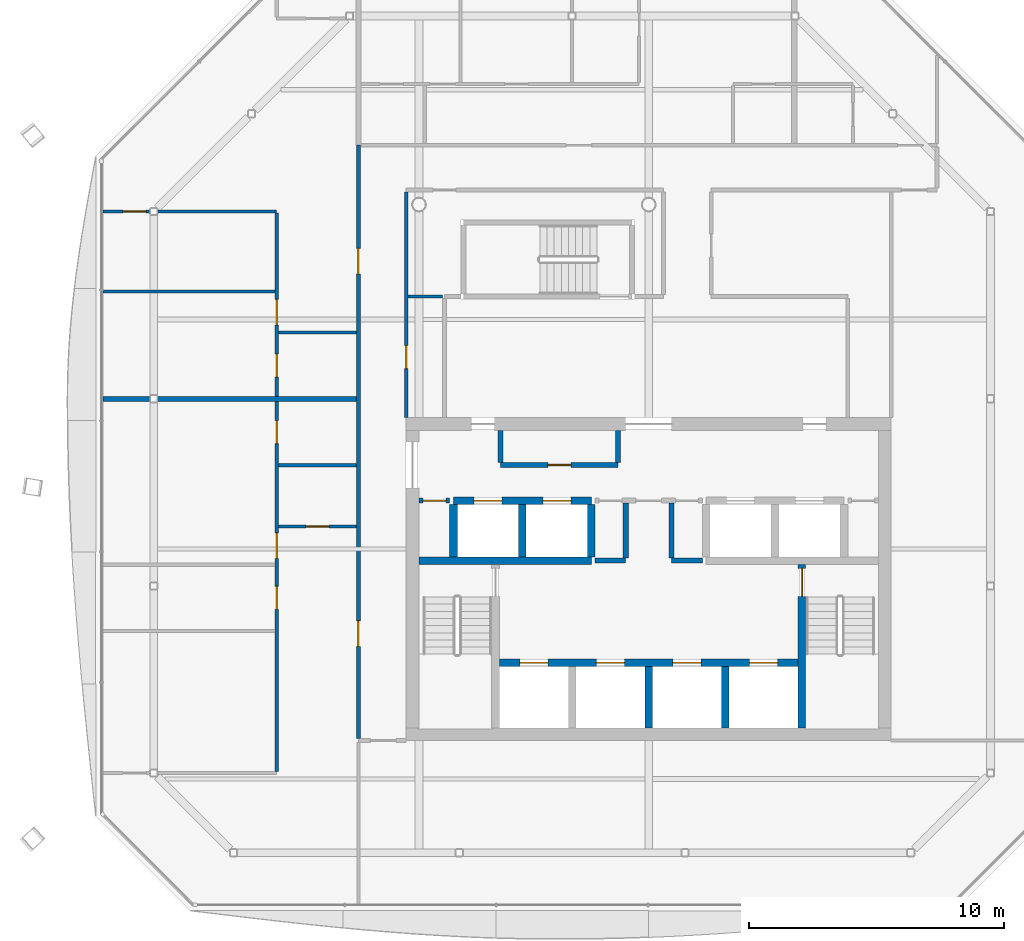
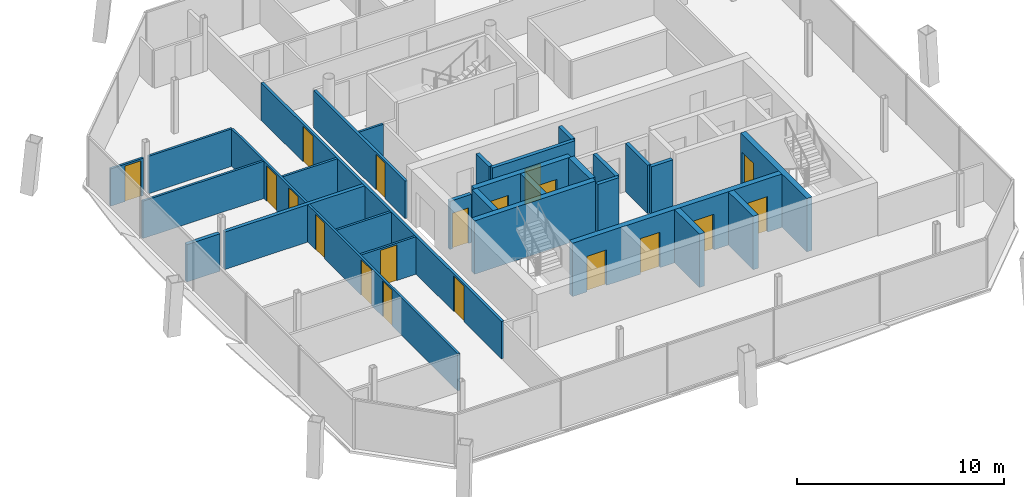
# One storey, part 12 of 17: 29 walls, 19 doors, 19 openings.
"""IFC4 building model written with IfcOpenShell, lengths in metres."""

from ifc_helpers import new_model, si_unit, direction, frame, frame_2d, origin, place, context, subcontext, project, spatial, rectangle, extrude, material, layer, layer_set, type_object, element, fill, save


model = new_model("IFC4")

# Units and contexts
model_context = context("Model", 3, precision=1e-05, world=origin(), true_north=direction((0.0, 1.0)))
body_context = subcontext(model_context, "Body", "Model", "MODEL_VIEW")
ifc_project = project(units=[si_unit("LENGTHUNIT", "METRE"), si_unit("AREAUNIT", "SQUARE_METRE"), si_unit("VOLUMEUNIT", "CUBIC_METRE"), si_unit("PLANEANGLEUNIT", "RADIAN"), si_unit("MASSUNIT", "GRAM", prefix="KILO")], contexts=[model_context])

# Site, building, storey
site_placement = place(None, origin())
site = spatial("IfcSite", under=ifc_project, at=site_placement, CompositionType="ELEMENT")
building_placement = place(site_placement, origin())
building = spatial("IfcBuilding", under=site, at=building_placement, Name="Tskaro Facet Tower", CompositionType="ELEMENT")
storey_placement = place(building_placement, frame((0.0, 0.0, 232.949951171875)))
storey = spatial("IfcBuildingStorey", under=building, at=storey_placement, Name="L60", CompositionType="ELEMENT", Elevation=232.949951171875)

# Wall, openings, doors
ifc_material_1 = material(Name="Concrete C60/75", Category="concrete")
ifc_layer_1 = layer(ifc_material_1, 0.300048828125, Name="Concrete C60/75")
ifc_layer_set_1 = layer_set([ifc_layer_1], Name="Concrete C60/75")
wall_type_1 = type_object("IfcWallType", Name="CORE-SHAFT", PredefinedType="SHEAR", material=ifc_layer_set_1)
wall_1_placement = place(storey_placement, frame((-5.85009765625, -8.949951171875, 0.0), z_axis=(0.0, 0.0, 1.0), x_axis=(1.0, 0.0, 0.0)))
wall_1 = element("IfcWall", 1, at=wall_1_placement, inside=storey, type_object=wall_type_1, Name="Shaft wall W005", PredefinedType="SHEAR", context=body_context, shape_type="SweptSolid", body=[
    extrude(rectangle(XDim=11.7001953125, YDim=0.300048828125, at=frame_2d((5.85009765625, 0.0))), origin(), (0.0, 0.0, 1.0), 3.150146484375),
])
opening_1_placement = place(wall_1_placement, frame((0.800048828125, 0.0, 0.0)))
opening_1 = element("IfcOpeningElement", 2, at=opening_1_placement, cuts=wall_1, Name="Opening LD-FF1", PredefinedType="OPENING", context=body_context, shape_type="SweptSolid", body=[
    extrude(rectangle(XDim=1.10009765625, YDim=2.10009765625, at=frame_2d((0.550048828125, 1.050048828125))), frame((0.0, 0.159912109375, 0.0), z_axis=(0.0, -1.0, 0.0), x_axis=(1.0, 0.0, 0.0)), (0.0, 0.0, 1.0), 0.320068359375),
])
opening_2_placement = place(wall_1_placement, frame((3.800048828125, 0.0, 0.0)))
opening_2 = element("IfcOpeningElement", 3, at=opening_2_placement, cuts=wall_1, Name="Opening LD-FF2", PredefinedType="OPENING", context=body_context, shape_type="SweptSolid", body=[
    extrude(rectangle(XDim=1.10009765625, YDim=2.10009765625, at=frame_2d((0.550048828125, 1.050048828125))), frame((0.0, 0.159912109375, 0.0), z_axis=(0.0, -1.0, 0.0), x_axis=(1.0, 0.0, 0.0)), (0.0, 0.0, 1.0), 0.320068359375),
])
opening_3_placement = place(wall_1_placement, frame((6.800048828125, 0.0, 0.0)))
opening_3 = element("IfcOpeningElement", 4, at=opening_3_placement, cuts=wall_1, Name="Opening LD-SV1", PredefinedType="OPENING", context=body_context, shape_type="SweptSolid", body=[
    extrude(rectangle(XDim=1.10009765625, YDim=2.10009765625, at=frame_2d((0.550048828125, 1.050048828125))), frame((0.0, 0.159912109375, 0.0), z_axis=(0.0, -1.0, 0.0), x_axis=(1.0, 0.0, 0.0)), (0.0, 0.0, 1.0), 0.320068359375),
])
opening_4_placement = place(wall_1_placement, frame((9.800048828125, 0.0, 0.0)))
opening_4 = element("IfcOpeningElement", 5, at=opening_4_placement, cuts=wall_1, Name="Opening LD-SV2", PredefinedType="OPENING", context=body_context, shape_type="SweptSolid", body=[
    extrude(rectangle(XDim=1.10009765625, YDim=2.10009765625, at=frame_2d((0.550048828125, 1.050048828125))), frame((0.0, 0.159912109375, 0.0), z_axis=(0.0, -1.0, 0.0), x_axis=(1.0, 0.0, 0.0)), (0.0, 0.0, 1.0), 0.320068359375),
])
ifc_material_2 = material(Name="Stainless steel", Category="steel")
door_type_1 = type_object("IfcDoorType", Name="D-LANDING", OperationType="NOTDEFINED", PredefinedType="DOOR", material=ifc_material_2)
door_1_placement = place(opening_1_placement, origin())
door_1 = element("IfcDoor", 6, at=door_1_placement, inside=storey, type_object=door_type_1, Name="Landing door FF1", OperationType="DOUBLE_DOOR_SLIDING", OverallHeight=2.10009765625, OverallWidth=1.10009765625, PredefinedType="DOOR", context=body_context, shape_type="SweptSolid", body=[
    extrude(rectangle(XDim=1.10009765625, YDim=2.10009765625, at=frame_2d((0.550048828125, 1.050048828125))), frame((0.0, 0.02490234375, 0.0), z_axis=(0.0, -1.0, 0.0), x_axis=(1.0, 0.0, 0.0)), (0.0, 0.0, 1.0), 0.050048828125),
])
fill(opening_1, door_1)
door_2_placement = place(opening_2_placement, origin())
door_2 = element("IfcDoor", 7, at=door_2_placement, inside=storey, type_object=door_type_1, Name="Landing door FF2", OperationType="DOUBLE_DOOR_SLIDING", OverallHeight=2.10009765625, OverallWidth=1.10009765625, PredefinedType="DOOR", context=body_context, shape_type="SweptSolid", body=[
    extrude(rectangle(XDim=1.10009765625, YDim=2.10009765625, at=frame_2d((0.550048828125, 1.050048828125))), frame((0.0, 0.02490234375, 0.0), z_axis=(0.0, -1.0, 0.0), x_axis=(1.0, 0.0, 0.0)), (0.0, 0.0, 1.0), 0.050048828125),
])
fill(opening_2, door_2)
door_3_placement = place(opening_3_placement, origin())
door_3 = element("IfcDoor", 8, at=door_3_placement, inside=storey, type_object=door_type_1, Name="Landing door SV1", OperationType="DOUBLE_DOOR_SLIDING", OverallHeight=2.10009765625, OverallWidth=1.10009765625, PredefinedType="DOOR", context=body_context, shape_type="SweptSolid", body=[
    extrude(rectangle(XDim=1.10009765625, YDim=2.10009765625, at=frame_2d((0.550048828125, 1.050048828125))), frame((0.0, 0.02490234375, 0.0), z_axis=(0.0, -1.0, 0.0), x_axis=(1.0, 0.0, 0.0)), (0.0, 0.0, 1.0), 0.050048828125),
])
fill(opening_3, door_3)
door_4_placement = place(opening_4_placement, origin())
door_4 = element("IfcDoor", 9, at=door_4_placement, inside=storey, type_object=door_type_1, Name="Landing door SV2", OperationType="DOUBLE_DOOR_SLIDING", OverallHeight=2.10009765625, OverallWidth=1.10009765625, PredefinedType="DOOR", context=body_context, shape_type="SweptSolid", body=[
    extrude(rectangle(XDim=1.10009765625, YDim=2.10009765625, at=frame_2d((0.550048828125, 1.050048828125))), frame((0.0, 0.02490234375, 0.0), z_axis=(0.0, -1.0, 0.0), x_axis=(1.0, 0.0, 0.0)), (0.0, 0.0, 1.0), 0.050048828125),
])
fill(opening_4, door_4)

# Wall
wall_2_placement = place(storey_placement, frame((-9.0, -4.949951171875, 0.0), z_axis=(0.0, 0.0, 1.0), x_axis=(1.0, 0.0, 0.0)))
element("IfcWall", 10, at=wall_2_placement, inside=storey, type_object=wall_type_1, Name="Shaft wall W008", PredefinedType="SHEAR", context=body_context, shape_type="SweptSolid", body=[
    extrude(rectangle(XDim=6.75, YDim=0.300048828125, at=frame_2d((3.375, 0.0))), origin(), (0.0, 0.0, 1.0), 3.150146484375),
])

# Wall, openings, doors
wall_3_placement = place(storey_placement, frame((-7.64990234375, -2.60009765625, 0.0), z_axis=(0.0, 0.0, 1.0), x_axis=(1.0, 0.0, 0.0)))
wall_3 = element("IfcWall", 11, at=wall_3_placement, inside=storey, type_object=wall_type_1, Name="Shaft wall W014", PredefinedType="SHEAR", context=body_context, shape_type="SweptSolid", body=[
    extrude(rectangle(XDim=5.39990234375, YDim=0.300048828125, at=frame_2d((2.699951171875, 0.0))), origin(), (0.0, 0.0, 1.0), 3.150146484375),
])
opening_5_placement = place(wall_3_placement, frame((0.800048828125, 0.0, 0.0)))
opening_5 = element("IfcOpeningElement", 12, at=opening_5_placement, cuts=wall_3, Name="Opening LD-HB1", PredefinedType="OPENING", context=body_context, shape_type="SweptSolid", body=[
    extrude(rectangle(XDim=1.10009765625, YDim=2.10009765625, at=frame_2d((0.550048828125, 1.050048828125))), frame((0.0, 0.159912109375, 0.0), z_axis=(0.0, -1.0, 0.0), x_axis=(1.0, 0.0, 0.0)), (0.0, 0.0, 1.0), 0.320068359375),
])
opening_6_placement = place(wall_3_placement, frame((3.5, 0.0, 0.0)))
opening_6 = element("IfcOpeningElement", 13, at=opening_6_placement, cuts=wall_3, Name="Opening LD-HB2", PredefinedType="OPENING", context=body_context, shape_type="SweptSolid", body=[
    extrude(rectangle(XDim=1.10009765625, YDim=2.10009765625, at=frame_2d((0.550048828125, 1.050048828125))), frame((0.0, 0.159912109375, 0.0), z_axis=(0.0, -1.0, 0.0), x_axis=(1.0, 0.0, 0.0)), (0.0, 0.0, 1.0), 0.320068359375),
])
door_5_placement = place(opening_5_placement, origin())
door_5 = element("IfcDoor", 14, at=door_5_placement, inside=storey, type_object=door_type_1, Name="Landing door HB1", OperationType="DOUBLE_DOOR_SLIDING", OverallHeight=2.10009765625, OverallWidth=1.10009765625, PredefinedType="DOOR", context=body_context, shape_type="SweptSolid", body=[
    extrude(rectangle(XDim=1.10009765625, YDim=2.10009765625, at=frame_2d((0.550048828125, 1.050048828125))), frame((0.0, 0.02490234375, 0.0), z_axis=(0.0, -1.0, 0.0), x_axis=(1.0, 0.0, 0.0)), (0.0, 0.0, 1.0), 0.050048828125),
])
fill(opening_5, door_5)
door_6_placement = place(opening_6_placement, origin())
door_6 = element("IfcDoor", 15, at=door_6_placement, inside=storey, type_object=door_type_1, Name="Landing door HB2", OperationType="DOUBLE_DOOR_SLIDING", OverallHeight=2.10009765625, OverallWidth=1.10009765625, PredefinedType="DOOR", context=body_context, shape_type="SweptSolid", body=[
    extrude(rectangle(XDim=1.10009765625, YDim=2.10009765625, at=frame_2d((0.550048828125, 1.050048828125))), frame((0.0, 0.02490234375, 0.0), z_axis=(0.0, -1.0, 0.0), x_axis=(1.0, 0.0, 0.0)), (0.0, 0.0, 1.0), 0.050048828125),
])
fill(opening_6, door_6)

# Walls
for number, where, z_axis, x_axis, name in (
    (16, (-7.64990234375, -4.800048828125, 0.0), (0.0, 0.0, 1.0), (0.0, 1.0, 0.0), "Shaft wall W046"),
    (17, (-4.949951171875, -4.800048828125, 0.0), (0.0, 0.0, 1.0), (0.0, 1.0, 0.0), "Shaft wall W051"),
    (18, (-2.25, -4.800048828125, 0.0), (0.0, 0.0, 1.0), (0.0, 1.0, 0.0), "Shaft wall W055"),
):
    element("IfcWall", number, at=place(storey_placement, frame(where, z_axis=z_axis, x_axis=x_axis)), inside=storey, type_object=wall_type_1, Name=name, PredefinedType="SHEAR", context=body_context, shape_type="SweptSolid", body=[
        extrude(rectangle(XDim=2.050048828125, YDim=0.300048828125, at=frame_2d((1.02490234375, 0.0))), origin(), (0.0, 0.0, 1.0), 3.150146484375),
    ])
for number, where, z_axis, x_axis, name in (
    (19, (0.0, -11.5, 0.0), (0.0, 0.0, 1.0), (0.0, 1.0, 0.0), "Shaft wall W060"),
    (20, (3.0, -11.5, 0.0), (0.0, 0.0, 1.0), (0.0, 1.0, 0.0), "Shaft wall W065"),
):
    element("IfcWall", number, at=place(storey_placement, frame(where, z_axis=z_axis, x_axis=x_axis)), inside=storey, type_object=wall_type_1, Name=name, PredefinedType="SHEAR", context=body_context, shape_type="SweptSolid", body=[
        extrude(rectangle(XDim=2.39990234375, YDim=0.300048828125, at=frame_2d((1.199951171875, 0.0))), origin(), (0.0, 0.0, 1.0), 3.150146484375),
    ])

# Wall, opening, door
wall_4_placement = place(storey_placement, frame((6.0, -5.10009765625, 0.0), z_axis=(0.0, 0.0, 1.0), x_axis=(0.0, -1.0, 0.0)))
wall_4 = element("IfcWall", 21, at=wall_4_placement, inside=storey, type_object=wall_type_1, Name="Shaft wall W070", PredefinedType="SHEAR", context=body_context, shape_type="SweptSolid", body=[
    extrude(rectangle(XDim=6.39990234375, YDim=0.300048828125, at=frame_2d((3.199951171875, 0.0))), origin(), (0.0, 0.0, 1.0), 3.150146484375),
])
opening_7_placement = place(wall_4_placement, frame((0.14990234375, 0.0, 0.0)))
opening_7 = element("IfcOpeningElement", 22, at=opening_7_placement, cuts=wall_4, Name="Opening ST-2-D1", PredefinedType="OPENING", context=body_context, shape_type="SweptSolid", body=[
    extrude(rectangle(XDim=1.10009765625, YDim=2.10009765625, at=frame_2d((0.550048828125, 1.050048828125))), frame((0.0, 0.159912109375, 0.0), z_axis=(0.0, -1.0, 0.0), x_axis=(1.0, 0.0, 0.0)), (0.0, 0.0, 1.0), 0.320068359375),
])
ifc_material_3 = material(Name="Steel", Category="steel")
door_type_2 = type_object("IfcDoorType", Name="D-STAIR", OperationType="NOTDEFINED", PredefinedType="DOOR", material=ifc_material_3)
door_7_placement = place(opening_7_placement, origin())
door_7 = element("IfcDoor", 23, at=door_7_placement, inside=storey, type_object=door_type_2, Name="Stair door 2", OperationType="SINGLE_SWING_RIGHT", OverallHeight=2.10009765625, OverallWidth=1.10009765625, PredefinedType="DOOR", context=body_context, shape_type="SweptSolid", body=[
    extrude(rectangle(XDim=1.10009765625, YDim=2.10009765625, at=frame_2d((0.550048828125, 1.050048828125))), frame((0.0, 0.02490234375, 0.0), z_axis=(0.0, -1.0, 0.0), x_axis=(1.0, 0.0, 0.0)), (0.0, 0.0, 1.0), 0.050048828125),
])
fill(opening_7, door_7)

# Walls
ifc_material_4 = material(Name="Concrete C20/25", Category="concrete")
ifc_layer_2 = layer(ifc_material_4, 0.199951171875, Name="Concrete C20/25")
ifc_layer_set_2 = layer_set([ifc_layer_2], Name="Concrete C20/25")
wall_type_2 = type_object("IfcWallType", Name="CORE-WALL", PredefinedType="SOLIDWALL", material=ifc_layer_set_2)
for number, where, z_axis, x_axis, name in (
    (24, (-2.10009765625, -4.949951171875, 0.0), (0.0, 0.0, 1.0), (1.0, 0.0, 0.0), "Core room wall W009"),
    (25, (0.89990234375, -4.949951171875, 0.0), (0.0, 0.0, 1.0), (1.0, 0.0, 0.0), "Core room wall W010"),
):
    element("IfcWall", number, at=place(storey_placement, frame(where, z_axis=z_axis, x_axis=x_axis)), inside=storey, type_object=wall_type_2, Name=name, PredefinedType="SOLIDWALL", context=body_context, shape_type="SweptSolid", body=[
        extrude(rectangle(XDim=1.2001953125, YDim=0.199951171875, at=frame_2d((0.60009765625, 0.0))), origin(), (0.0, 0.0, 1.0), 2.85009765625),
    ])

# Wall, opening, door
wall_5_placement = place(storey_placement, frame((-7.800048828125, -2.60009765625, 0.0), z_axis=(0.0, 0.0, 1.0), x_axis=(-1.0, 0.0, 0.0)))
wall_5 = element("IfcWall", 26, at=wall_5_placement, inside=storey, type_object=wall_type_2, Name="Core room wall W013", PredefinedType="SOLIDWALL", context=body_context, shape_type="SweptSolid", body=[
    extrude(rectangle(XDim=1.199951171875, YDim=0.199951171875, at=frame_2d((0.60009765625, 0.0))), origin(), (0.0, 0.0, 1.0), 2.85009765625),
])
opening_8_placement = place(wall_5_placement, frame((0.14990234375, 0.0, 0.0)))
opening_8 = element("IfcOpeningElement", 27, at=opening_8_placement, cuts=wall_5, Name="Opening T17-D07", PredefinedType="OPENING", context=body_context, shape_type="SweptSolid", body=[
    extrude(rectangle(XDim=0.89990234375, YDim=2.10009765625, at=frame_2d((0.449951171875, 1.050048828125))), frame((0.0, 0.10986328125, 0.0), z_axis=(0.0, -1.0, 0.0), x_axis=(1.0, 0.0, 0.0)), (0.0, 0.0, 1.0), 0.219970703125),
])
ifc_material_5 = material(Name="Timber", Category="wood")
door_type_3 = type_object("IfcDoorType", Name="D-ROOM", OperationType="NOTDEFINED", PredefinedType="DOOR", material=ifc_material_5)
door_8_placement = place(opening_8_placement, origin())
door_8 = element("IfcDoor", 28, at=door_8_placement, inside=storey, type_object=door_type_3, Name="Door T17-D07", OperationType="SINGLE_SWING_RIGHT", OverallHeight=2.10009765625, OverallWidth=0.89990234375, PredefinedType="DOOR", context=body_context, shape_type="SweptSolid", body=[
    extrude(rectangle(XDim=0.89990234375, YDim=2.10009765625, at=frame_2d((0.449951171875, 1.050048828125))), frame((0.0, 0.02490234375, 0.0), z_axis=(0.0, -1.0, 0.0), x_axis=(1.0, 0.0, 0.0)), (0.0, 0.0, 1.0), 0.050048828125),
])
fill(opening_8, door_8)

wall_6_placement = place(storey_placement, frame((-5.800048828125, -1.199951171875, 0.0), z_axis=(0.0, 0.0, 1.0), x_axis=(1.0, 0.0, 0.0)))
wall_6 = element("IfcWall", 29, at=wall_6_placement, inside=storey, type_object=wall_type_2, Name="Core room wall W019", PredefinedType="SOLIDWALL", context=body_context, shape_type="SweptSolid", body=[
    extrude(rectangle(XDim=4.60009765625, YDim=0.199951171875, at=frame_2d((2.300048828125, 0.0))), origin(), (0.0, 0.0, 1.0), 2.85009765625),
])
opening_9_placement = place(wall_6_placement, frame((1.85009765625, 0.0, 0.0)))
opening_9 = element("IfcOpeningElement", 30, at=opening_9_placement, cuts=wall_6, Name="Opening T17-D12", PredefinedType="OPENING", context=body_context, shape_type="SweptSolid", body=[
    extrude(rectangle(XDim=0.89990234375, YDim=2.10009765625, at=frame_2d((0.449951171875, 1.050048828125))), frame((0.0, 0.10986328125, 0.0), z_axis=(0.0, -1.0, 0.0), x_axis=(1.0, 0.0, 0.0)), (0.0, 0.0, 1.0), 0.219970703125),
])
door_9_placement = place(opening_9_placement, origin())
door_9 = element("IfcDoor", 31, at=door_9_placement, inside=storey, type_object=door_type_3, Name="Door T17-D12", OperationType="SINGLE_SWING_LEFT", OverallHeight=2.10009765625, OverallWidth=0.89990234375, PredefinedType="DOOR", context=body_context, shape_type="SweptSolid", body=[
    extrude(rectangle(XDim=0.89990234375, YDim=2.10009765625, at=frame_2d((0.449951171875, 1.050048828125))), frame((0.0, 0.02490234375, 0.0), z_axis=(0.0, -1.0, 0.0), x_axis=(1.0, 0.0, 0.0)), (0.0, 0.0, 1.0), 0.050048828125),
])
fill(opening_9, door_9)

# Walls
for number, where, z_axis, x_axis, name in (
    (32, (-5.800048828125, -1.10009765625, 0.0), (0.0, 0.0, 1.0), (0.0, 1.0, 0.0), "Core room wall W050"),
    (33, (-1.199951171875, -1.10009765625, 0.0), (0.0, 0.0, 1.0), (0.0, 1.0, 0.0), "Core room wall W056"),
):
    element("IfcWall", number, at=place(storey_placement, frame(where, z_axis=z_axis, x_axis=x_axis)), inside=storey, type_object=wall_type_2, Name=name, PredefinedType="SOLIDWALL", context=body_context, shape_type="SweptSolid", body=[
        extrude(rectangle(XDim=1.25, YDim=0.199951171875, at=frame_2d((0.625, 0.0))), origin(), (0.0, 0.0, 1.0), 2.85009765625),
    ])
for number, where, z_axis, x_axis, name in (
    (34, (-0.89990234375, -4.85009765625, 0.0), (0.0, 0.0, 1.0), (0.0, 1.0, 0.0), "Core room wall W057"),
    (35, (0.89990234375, -4.85009765625, 0.0), (0.0, 0.0, 1.0), (0.0, 1.0, 0.0), "Core room wall W062"),
):
    element("IfcWall", number, at=place(storey_placement, frame(where, z_axis=z_axis, x_axis=x_axis)), inside=storey, type_object=wall_type_2, Name=name, PredefinedType="SOLIDWALL", context=body_context, shape_type="SweptSolid", body=[
        extrude(rectangle(XDim=2.150146484375, YDim=0.199951171875, at=frame_2d((1.0751953125, 0.0))), origin(), (0.0, 0.0, 1.0), 2.85009765625),
    ])

# Wall, opening, door
ifc_material_6 = material(Name="Gypsum board on steel studs", Category="steel")
ifc_layer_3 = layer(ifc_material_6, 0.125, Name="Gypsum board on steel studs")
ifc_layer_set_3 = layer_set([ifc_layer_3], Name="Gypsum board on steel studs")
wall_type_3 = type_object("IfcWallType", Name="PART", PredefinedType="PARTITIONING", material=ifc_layer_set_3)
wall_7_placement = place(storey_placement, frame((-14.512451171875, -3.610107421875, 0.0), z_axis=(0.0, 0.0, 1.0), x_axis=(1.0, 0.0, 0.0)))
wall_7 = element("IfcWall", 36, at=wall_7_placement, inside=storey, type_object=wall_type_3, Name="Partition W012", PredefinedType="PARTITIONING", context=body_context, shape_type="SweptSolid", body=[
    extrude(rectangle(XDim=3.0625, YDim=0.125, at=frame_2d((1.53125, 0.0))), origin(), (0.0, 0.0, 1.0), 2.2099609375),
])
opening_10_placement = place(wall_7_placement, frame((1.08740234375, 0.0, 0.0)))
opening_10 = element("IfcOpeningElement", 37, at=opening_10_placement, cuts=wall_7, Name="Opening T17-D06", PredefinedType="OPENING", context=body_context, shape_type="SweptSolid", body=[
    extrude(rectangle(XDim=0.89990234375, YDim=2.10009765625, at=frame_2d((0.449951171875, 1.050048828125))), frame((0.0, 0.072509765625, 0.0), z_axis=(0.0, -1.0, 0.0), x_axis=(1.0, 0.0, 0.0)), (0.0, 0.0, 1.0), 0.14501953125),
])
door_10_placement = place(opening_10_placement, origin())
door_10 = element("IfcDoor", 38, at=door_10_placement, inside=storey, type_object=door_type_3, Name="Door T17-D06", OperationType="SINGLE_SWING_LEFT", OverallHeight=2.10009765625, OverallWidth=0.89990234375, PredefinedType="DOOR", context=body_context, shape_type="SweptSolid", body=[
    extrude(rectangle(XDim=0.89990234375, YDim=2.10009765625, at=frame_2d((0.449951171875, 1.050048828125))), frame((0.0, 0.02490234375, 0.0), z_axis=(0.0, -1.0, 0.0), x_axis=(1.0, 0.0, 0.0)), (0.0, 0.0, 1.0), 0.050048828125),
])
fill(opening_10, door_10)

# Walls
for number, where, z_axis, x_axis, name in (
    (39, (-14.512451171875, -1.2099609375, 0.0), (0.0, 0.0, 1.0), (1.0, 0.0, 0.0), "Partition W018"),
    (40, (-14.512451171875, 3.989990234375, 0.0), (0.0, 0.0, 1.0), (1.0, 0.0, 0.0), "Partition W022"),
):
    element("IfcWall", number, at=place(storey_placement, frame(where, z_axis=z_axis, x_axis=x_axis)), inside=storey, type_object=wall_type_3, Name=name, PredefinedType="PARTITIONING", context=body_context, shape_type="SweptSolid", body=[
        extrude(rectangle(XDim=3.0625, YDim=0.125, at=frame_2d((1.53125, 0.0))), origin(), (0.0, 0.0, 1.0), 2.2099609375),
    ])
wall_8_placement = place(storey_placement, frame((-9.425048828125, 5.39990234375, 0.0), z_axis=(0.0, 0.0, 1.0), x_axis=(1.0, 0.0, 0.0)))
element("IfcWall", 41, at=wall_8_placement, inside=storey, type_object=wall_type_3, Name="Partition W023", PredefinedType="PARTITIONING", context=body_context, shape_type="SweptSolid", body=[
    extrude(rectangle(XDim=1.35009765625, YDim=0.125, at=frame_2d((0.675048828125, 0.0))), origin(), (0.0, 0.0, 1.0), 2.2099609375),
])
wall_9_placement = place(storey_placement, frame((-21.385009765625, 5.590087890625, 0.0), z_axis=(0.0, 0.0, 1.0), x_axis=(1.0, 0.0, 0.0)))
element("IfcWall", 42, at=wall_9_placement, inside=storey, type_object=wall_type_3, Name="Partition W028", PredefinedType="PARTITIONING", context=body_context, shape_type="SweptSolid", body=[
    extrude(rectangle(XDim=6.74755859375, YDim=0.125, at=frame_2d((3.373779296875, 0.0))), origin(), (0.0, 0.0, 1.0), 2.2099609375),
])

# Wall, opening, door
wall_10_placement = place(storey_placement, frame((-19.541015625, 8.72509765625, 0.0), z_axis=(0.0, 0.0, 1.0), x_axis=(-1.0, 0.0, 0.0)))
wall_10 = element("IfcWall", 43, at=wall_10_placement, inside=storey, type_object=wall_type_3, Name="Partition W030", PredefinedType="PARTITIONING", context=body_context, shape_type="SweptSolid", body=[
    extrude(rectangle(XDim=1.843994140625, YDim=0.125, at=frame_2d((0.921875, 0.0))), origin(), (0.0, 0.0, 1.0), 2.2099609375),
])
opening_11_placement = place(wall_10_placement, frame((0.14990234375, 0.0, 0.0)))
opening_11 = element("IfcOpeningElement", 44, at=opening_11_placement, cuts=wall_10, Name="Opening T17-D22", PredefinedType="OPENING", context=body_context, shape_type="SweptSolid", body=[
    extrude(rectangle(XDim=0.89990234375, YDim=2.10009765625, at=frame_2d((0.449951171875, 1.050048828125))), frame((0.0, 0.072509765625, 0.0), z_axis=(0.0, -1.0, 0.0), x_axis=(1.0, 0.0, 0.0)), (0.0, 0.0, 1.0), 0.14501953125),
])
door_11_placement = place(opening_11_placement, origin())
door_11 = element("IfcDoor", 45, at=door_11_placement, inside=storey, type_object=door_type_3, Name="Door T17-D22", OperationType="SINGLE_SWING_RIGHT", OverallHeight=2.10009765625, OverallWidth=0.89990234375, PredefinedType="DOOR", context=body_context, shape_type="SweptSolid", body=[
    extrude(rectangle(XDim=0.89990234375, YDim=2.10009765625, at=frame_2d((0.449951171875, 1.050048828125))), frame((0.0, 0.02490234375, 0.0), z_axis=(0.0, -1.0, 0.0), x_axis=(1.0, 0.0, 0.0)), (0.0, 0.0, 1.0), 0.050048828125),
])
fill(opening_11, door_11)

# Wall
wall_11_placement = place(storey_placement, frame((-19.240966796875, 8.72509765625, 0.0), z_axis=(0.0, 0.0, 1.0), x_axis=(1.0, 0.0, 0.0)))
element("IfcWall", 46, at=wall_11_placement, inside=storey, type_object=wall_type_3, Name="Partition W031", PredefinedType="PARTITIONING", context=body_context, shape_type="SweptSolid", body=[
    extrude(rectangle(XDim=4.666015625, YDim=0.125, at=frame_2d((2.3330078125, 0.0))), origin(), (0.0, 0.0, 1.0), 2.2099609375),
])

# Wall, openings, doors
wall_12_placement = place(storey_placement, frame((-14.574951171875, -13.20751953125, 0.0), z_axis=(0.0, 0.0, 1.0), x_axis=(0.0, 1.0, 0.0)))
wall_12 = element("IfcWall", 47, at=wall_12_placement, inside=storey, type_object=wall_type_3, Name="Partition W038", PredefinedType="PARTITIONING", context=body_context, shape_type="SweptSolid", body=[
    extrude(rectangle(XDim=21.8701171875, YDim=0.125, at=frame_2d((10.93505859375, 0.0))), origin(), (0.0, 0.0, 1.0), 2.2099609375),
])
opening_12_placement = place(wall_12_placement, frame((6.347412109375, 0.0, 0.0)))
opening_12 = element("IfcOpeningElement", 48, at=opening_12_placement, cuts=wall_12, Name="Opening T17-D04", PredefinedType="OPENING", context=body_context, shape_type="SweptSolid", body=[
    extrude(rectangle(XDim=0.89990234375, YDim=2.10009765625, at=frame_2d((0.449951171875, 1.050048828125))), frame((0.0, 0.072509765625, 0.0), z_axis=(0.0, -1.0, 0.0), x_axis=(1.0, 0.0, 0.0)), (0.0, 0.0, 1.0), 0.14501953125),
])
opening_13_placement = place(wall_12_placement, frame((8.347412109375, 0.0, 0.0)))
opening_13 = element("IfcOpeningElement", 49, at=opening_13_placement, cuts=wall_12, Name="Opening T17-D05", PredefinedType="OPENING", context=body_context, shape_type="SweptSolid", body=[
    extrude(rectangle(XDim=1.0, YDim=2.10009765625, at=frame_2d((0.5, 1.050048828125))), frame((0.0, 0.072509765625, 0.0), z_axis=(0.0, -1.0, 0.0), x_axis=(1.0, 0.0, 0.0)), (0.0, 0.0, 1.0), 0.14501953125),
])
opening_14_placement = place(wall_12_placement, frame((12.847412109375, 0.0, 0.0)))
opening_14 = element("IfcOpeningElement", 50, at=opening_14_placement, cuts=wall_12, Name="Opening T17-D13", PredefinedType="OPENING", context=body_context, shape_type="SweptSolid", body=[
    extrude(rectangle(XDim=0.89990234375, YDim=2.10009765625, at=frame_2d((0.449951171875, 1.050048828125))), frame((0.0, 0.072509765625, 0.0), z_axis=(0.0, -1.0, 0.0), x_axis=(1.0, 0.0, 0.0)), (0.0, 0.0, 1.0), 0.14501953125),
])
opening_15_placement = place(wall_12_placement, frame((17.49755859375, 0.0, 0.0)))
opening_15 = element("IfcOpeningElement", 51, at=opening_15_placement, cuts=wall_12, Name="Opening T17-D19", PredefinedType="OPENING", context=body_context, shape_type="SweptSolid", body=[
    extrude(rectangle(XDim=1.0, YDim=2.10009765625, at=frame_2d((0.5, 1.050048828125))), frame((0.0, 0.072509765625, 0.0), z_axis=(0.0, -1.0, 0.0), x_axis=(1.0, 0.0, 0.0)), (0.0, 0.0, 1.0), 0.14501953125),
])
opening_16_placement = place(wall_12_placement, frame((15.447509765625, 0.0, 0.0)))
opening_16 = element("IfcOpeningElement", 52, at=opening_16_placement, cuts=wall_12, Name="Opening T17-D17", PredefinedType="OPENING", context=body_context, shape_type="SweptSolid", body=[
    extrude(rectangle(XDim=0.89990234375, YDim=2.10009765625, at=frame_2d((0.449951171875, 1.050048828125))), frame((0.0, 0.072509765625, 0.0), z_axis=(0.0, -1.0, 0.0), x_axis=(1.0, 0.0, 0.0)), (0.0, 0.0, 1.0), 0.14501953125),
])
door_12_placement = place(opening_12_placement, origin())
door_12 = element("IfcDoor", 53, at=door_12_placement, inside=storey, type_object=door_type_3, Name="Door T17-D04", OperationType="SINGLE_SWING_LEFT", OverallHeight=2.10009765625, OverallWidth=0.89990234375, PredefinedType="DOOR", context=body_context, shape_type="SweptSolid", body=[
    extrude(rectangle(XDim=0.89990234375, YDim=2.10009765625, at=frame_2d((0.449951171875, 1.050048828125))), frame((0.0, 0.02490234375, 0.0), z_axis=(0.0, -1.0, 0.0), x_axis=(1.0, 0.0, 0.0)), (0.0, 0.0, 1.0), 0.050048828125),
])
fill(opening_12, door_12)
door_13_placement = place(opening_14_placement, origin())
door_13 = element("IfcDoor", 54, at=door_13_placement, inside=storey, type_object=door_type_3, Name="Door T17-D13", OperationType="SINGLE_SWING_LEFT", OverallHeight=2.10009765625, OverallWidth=0.89990234375, PredefinedType="DOOR", context=body_context, shape_type="SweptSolid", body=[
    extrude(rectangle(XDim=0.89990234375, YDim=2.10009765625, at=frame_2d((0.449951171875, 1.050048828125))), frame((0.0, 0.02490234375, 0.0), z_axis=(0.0, -1.0, 0.0), x_axis=(1.0, 0.0, 0.0)), (0.0, 0.0, 1.0), 0.050048828125),
])
fill(opening_14, door_13)
door_14_placement = place(opening_16_placement, origin())
door_14 = element("IfcDoor", 55, at=door_14_placement, inside=storey, type_object=door_type_3, Name="Door T17-D17", OperationType="SINGLE_SWING_LEFT", OverallHeight=2.10009765625, OverallWidth=0.89990234375, PredefinedType="DOOR", context=body_context, shape_type="SweptSolid", body=[
    extrude(rectangle(XDim=0.89990234375, YDim=2.10009765625, at=frame_2d((0.449951171875, 1.050048828125))), frame((0.0, 0.02490234375, 0.0), z_axis=(0.0, -1.0, 0.0), x_axis=(1.0, 0.0, 0.0)), (0.0, 0.0, 1.0), 0.050048828125),
])
fill(opening_16, door_14)
door_type_4 = type_object("IfcDoorType", Name="D-ROOM-WIDE", OperationType="NOTDEFINED", PredefinedType="DOOR", material=ifc_material_5)
door_15_placement = place(opening_13_placement, origin())
door_15 = element("IfcDoor", 56, at=door_15_placement, inside=storey, type_object=door_type_4, Name="Door T17-D05", OperationType="SINGLE_SWING_LEFT", OverallHeight=2.10009765625, OverallWidth=1.0, PredefinedType="DOOR", context=body_context, shape_type="SweptSolid", body=[
    extrude(rectangle(XDim=1.0, YDim=2.10009765625, at=frame_2d((0.5, 1.050048828125))), frame((0.0, 0.02490234375, 0.0), z_axis=(0.0, -1.0, 0.0), x_axis=(1.0, 0.0, 0.0)), (0.0, 0.0, 1.0), 0.050048828125),
])
fill(opening_13, door_15)
door_16_placement = place(opening_15_placement, origin())
door_16 = element("IfcDoor", 57, at=door_16_placement, inside=storey, type_object=door_type_4, Name="Door T17-D19", OperationType="SINGLE_SWING_LEFT", OverallHeight=2.10009765625, OverallWidth=1.0, PredefinedType="DOOR", context=body_context, shape_type="SweptSolid", body=[
    extrude(rectangle(XDim=1.0, YDim=2.10009765625, at=frame_2d((0.5, 1.050048828125))), frame((0.0, 0.02490234375, 0.0), z_axis=(0.0, -1.0, 0.0), x_axis=(1.0, 0.0, 0.0)), (0.0, 0.0, 1.0), 0.050048828125),
])
fill(opening_15, door_16)

ifc_layer_4 = layer(ifc_material_6, 0.14990234375, Name="Gypsum board on steel studs")
ifc_layer_set_4 = layer_set([ifc_layer_4], Name="Gypsum board on steel studs")
wall_type_4 = type_object("IfcWallType", Name="PART-CORR", PredefinedType="PARTITIONING", material=ifc_layer_set_4)
wall_13_placement = place(storey_placement, frame((-11.375, -11.925048828125, 0.0), z_axis=(0.0, 0.0, 1.0), x_axis=(0.0, 1.0, 0.0)))
wall_13 = element("IfcWall", 58, at=wall_13_placement, inside=storey, type_object=wall_type_4, Name="Corridor wall W041", PredefinedType="PARTITIONING", context=body_context, shape_type="SweptSolid", body=[
    extrude(rectangle(XDim=23.25, YDim=0.14990234375, at=frame_2d((11.625, 0.0))), origin(), (0.0, 0.0, 1.0), 2.2099609375),
])
opening_17_placement = place(wall_13_placement, frame((3.6201171875, 0.0, 0.0)))
opening_17 = element("IfcOpeningElement", 59, at=opening_17_placement, cuts=wall_13, Name="Opening T17-D03", PredefinedType="OPENING", context=body_context, shape_type="SweptSolid", body=[
    extrude(rectangle(XDim=1.0, YDim=2.10009765625, at=frame_2d((0.5, 1.050048828125))), frame((0.0, 0.0849609375, 0.0), z_axis=(0.0, -1.0, 0.0), x_axis=(1.0, 0.0, 0.0)), (0.0, 0.0, 1.0), 0.169921875),
])
opening_18_placement = place(wall_13_placement, frame((18.20751953125, 0.0, 0.0)))
opening_18 = element("IfcOpeningElement", 60, at=opening_18_placement, cuts=wall_13, Name="Opening T17-D20", PredefinedType="OPENING", context=body_context, shape_type="SweptSolid", body=[
    extrude(rectangle(XDim=1.0, YDim=2.10009765625, at=frame_2d((0.5, 1.050048828125))), frame((0.0, 0.0849609375, 0.0), z_axis=(0.0, -1.0, 0.0), x_axis=(1.0, 0.0, 0.0)), (0.0, 0.0, 1.0), 0.169921875),
])
door_type_5 = type_object("IfcDoorType", Name="D-FLAT-ENTRY", OperationType="NOTDEFINED", PredefinedType="DOOR", material=ifc_material_5)
door_17_placement = place(opening_17_placement, origin())
door_17 = element("IfcDoor", 61, at=door_17_placement, inside=storey, type_object=door_type_5, Name="Door T17-D03", OperationType="SINGLE_SWING_LEFT", OverallHeight=2.10009765625, OverallWidth=1.0, PredefinedType="DOOR", context=body_context, shape_type="SweptSolid", body=[
    extrude(rectangle(XDim=1.0, YDim=2.10009765625, at=frame_2d((0.5, 1.050048828125))), frame((0.0, 0.02490234375, 0.0), z_axis=(0.0, -1.0, 0.0), x_axis=(1.0, 0.0, 0.0)), (0.0, 0.0, 1.0), 0.050048828125),
])
fill(opening_17, door_17)
door_18_placement = place(opening_18_placement, origin())
door_18 = element("IfcDoor", 62, at=door_18_placement, inside=storey, type_object=door_type_5, Name="Door T17-D20", OperationType="SINGLE_SWING_LEFT", OverallHeight=2.10009765625, OverallWidth=1.0, PredefinedType="DOOR", context=body_context, shape_type="SweptSolid", body=[
    extrude(rectangle(XDim=1.0, YDim=2.10009765625, at=frame_2d((0.5, 1.050048828125))), frame((0.0, 0.02490234375, 0.0), z_axis=(0.0, -1.0, 0.0), x_axis=(1.0, 0.0, 0.0)), (0.0, 0.0, 1.0), 0.050048828125),
])
fill(opening_18, door_18)

# Wall, opening, door
wall_14_placement = place(storey_placement, frame((-9.5, 9.5, 0.0), z_axis=(0.0, 0.0, 1.0), x_axis=(0.0, -1.0, 0.0)))
wall_14 = element("IfcWall", 63, at=wall_14_placement, inside=storey, type_object=wall_type_4, Name="Corridor wall W043", PredefinedType="PARTITIONING", context=body_context, shape_type="SweptSolid", body=[
    extrude(rectangle(XDim=8.85009765625, YDim=0.14990234375, at=frame_2d((4.425048828125, 0.0))), origin(), (0.0, 0.0, 1.0), 2.2099609375),
])
opening_19_placement = place(wall_14_placement, frame((6.02490234375, 0.0, 0.0)))
opening_19 = element("IfcOpeningElement", 64, at=opening_19_placement, cuts=wall_14, Name="Opening T17-D18", PredefinedType="OPENING", context=body_context, shape_type="SweptSolid", body=[
    extrude(rectangle(XDim=0.89990234375, YDim=2.10009765625, at=frame_2d((0.449951171875, 1.050048828125))), frame((0.0, 0.0849609375, 0.0), z_axis=(0.0, -1.0, 0.0), x_axis=(1.0, 0.0, 0.0)), (0.0, 0.0, 1.0), 0.169921875),
])
door_19_placement = place(opening_19_placement, origin())
door_19 = element("IfcDoor", 65, at=door_19_placement, inside=storey, type_object=door_type_3, Name="Door T17-D18", OperationType="SINGLE_SWING_RIGHT", OverallHeight=2.10009765625, OverallWidth=0.89990234375, PredefinedType="DOOR", context=body_context, shape_type="SweptSolid", body=[
    extrude(rectangle(XDim=0.89990234375, YDim=2.10009765625, at=frame_2d((0.449951171875, 1.050048828125))), frame((0.0, 0.02490234375, 0.0), z_axis=(0.0, -1.0, 0.0), x_axis=(1.0, 0.0, 0.0)), (0.0, 0.0, 1.0), 0.050048828125),
])
fill(opening_19, door_19)

# Walls
ifc_layer_5 = layer(ifc_material_6, 0.199951171875, Name="Gypsum board on steel studs")
ifc_layer_set_5 = layer_set([ifc_layer_5], Name="Gypsum board on steel studs")
wall_type_5 = type_object("IfcWallType", Name="PART-DEMISING", PredefinedType="PARTITIONING", material=ifc_layer_set_5)
wall_15_placement = place(storey_placement, frame((-21.385009765625, 1.389892578125, 0.0), z_axis=(0.0, 0.0, 1.0), x_axis=(1.0, 0.0, 0.0)))
element("IfcWall", 66, at=wall_15_placement, inside=storey, type_object=wall_type_5, Name="Guest room wall W020", PredefinedType="PARTITIONING", context=body_context, shape_type="SweptSolid", body=[
    extrude(rectangle(XDim=1.843994140625, YDim=0.199951171875, at=frame_2d((0.921875, 0.0))), origin(), (0.0, 0.0, 1.0), 2.2099609375),
])
wall_16_placement = place(storey_placement, frame((-19.240966796875, 1.389892578125, 0.0), z_axis=(0.0, 0.0, 1.0), x_axis=(1.0, 0.0, 0.0)))
element("IfcWall", 67, at=wall_16_placement, inside=storey, type_object=wall_type_5, Name="Guest room wall W021", PredefinedType="PARTITIONING", context=body_context, shape_type="SweptSolid", body=[
    extrude(rectangle(XDim=7.791015625, YDim=0.199951171875, at=frame_2d((3.8955078125, 0.0))), origin(), (0.0, 0.0, 1.0), 2.2099609375),
])

save(model, "model.ifc")
